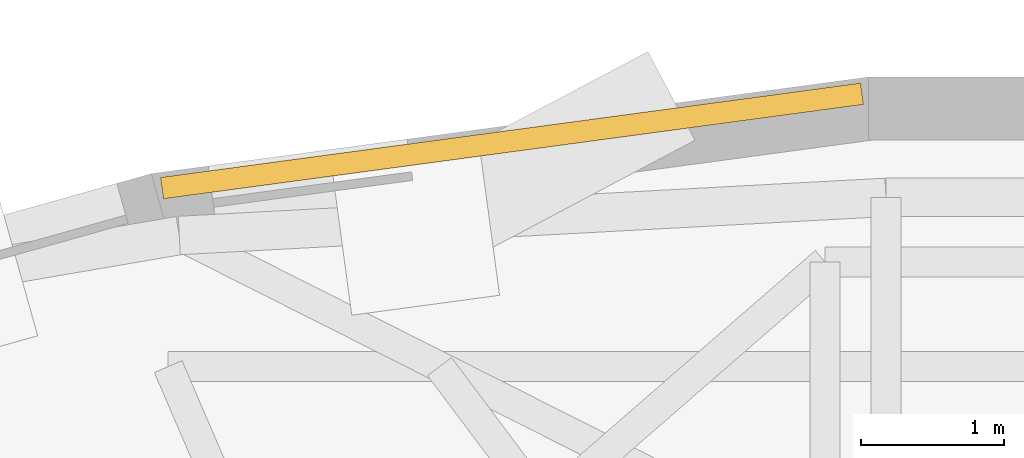
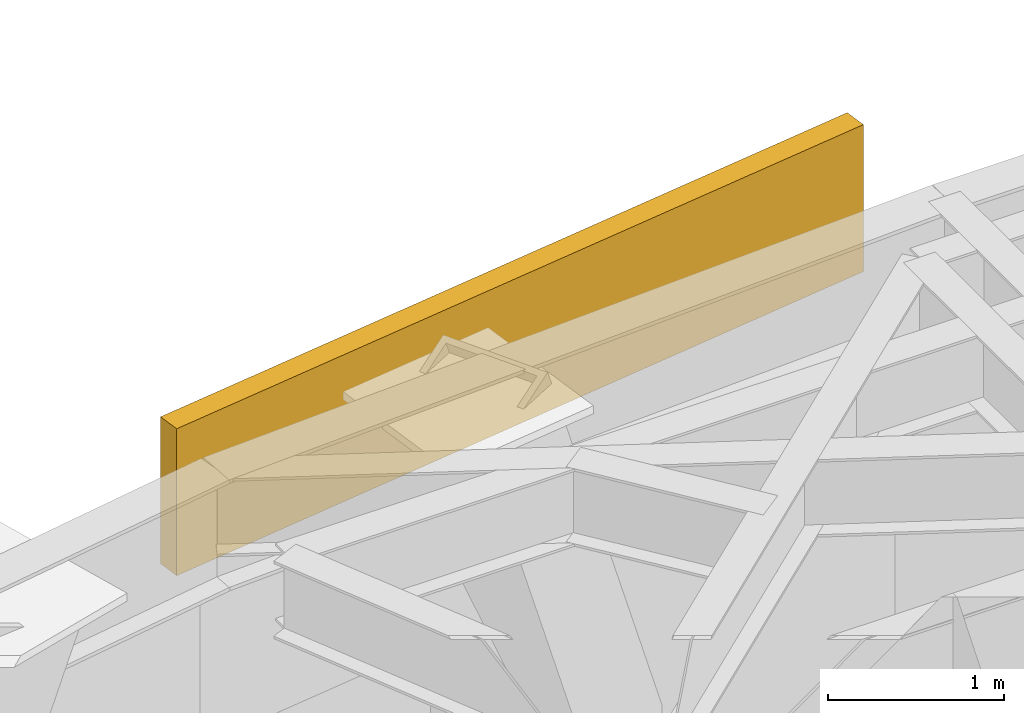
# One storey, part 16 of 16: 1 covering.
"""IFC4 building model written with IfcOpenShell, lengths in metres."""

from ifc_helpers import new_model, si_unit, direction, frame, origin, origin_2d, place, context, subcontext, project, spatial, rectangle, extrude, material, layer, layer_set, type_object, element, save


model = new_model("IFC4")

# Units and contexts
model_context = context("Model", 3, precision=1e-05, world=origin(), true_north=direction((0.0, 1.0)))
body_context = subcontext(model_context, "Body", "Model", "MODEL_VIEW")
ifc_project = project(units=[si_unit("LENGTHUNIT", "METRE"), si_unit("AREAUNIT", "SQUARE_METRE"), si_unit("VOLUMEUNIT", "CUBIC_METRE"), si_unit("PLANEANGLEUNIT", "RADIAN"), si_unit("MASSUNIT", "GRAM", prefix="KILO")], contexts=[model_context])

# Site, building, storey
site_placement = place(None, origin())
site = spatial("IfcSite", under=ifc_project, at=site_placement, CompositionType="ELEMENT")
building_placement = place(site_placement, origin())
building = spatial("IfcBuilding", under=site, at=building_placement, Name="Keldmark Tower", CompositionType="ELEMENT")
storey_placement = place(building_placement, frame((0.0, 0.0, 139.60009765625)))
storey = spatial("IfcBuildingStorey", under=building, at=storey_placement, Name="L37", CompositionType="ELEMENT", Elevation=139.60009765625)

# Covering
ifc_material = material(Name="Honed Kasota Buff Dolomitic Limestone", Category="masonry")
ifc_layer = layer(ifc_material, 0.074951171875)
ifc_layer_set = layer_set([ifc_layer], Name="Honed Kasota Buff Dolomitic Limestone")
covering_type = type_object("IfcCoveringType", Name="Kasota Buff Limestone Spandrel Cladding Band", PredefinedType="CLADDING", material=ifc_layer_set)
covering_placement = place(storey_placement, frame((-5.033203125, 17.089111328125, 3.161865234375), z_axis=(0.0, 0.0, 1.0), x_axis=(-0.991034573663, -0.133605665318, 0.0)))
element("IfcCovering", 1, at=covering_placement, inside=storey, type_object=covering_type, Name="L37 Kasota Limestone Spandrel Band 09", PredefinedType="CLADDING", context=body_context, shape_type="SweptSolid", body=[
    extrude(rectangle(XDim=4.92431640625, YDim=0.14990234375, at=origin_2d()), origin(), (0.0, 0.0, 1.0), 1.01806640625),
])

save(model, "model.ifc")
